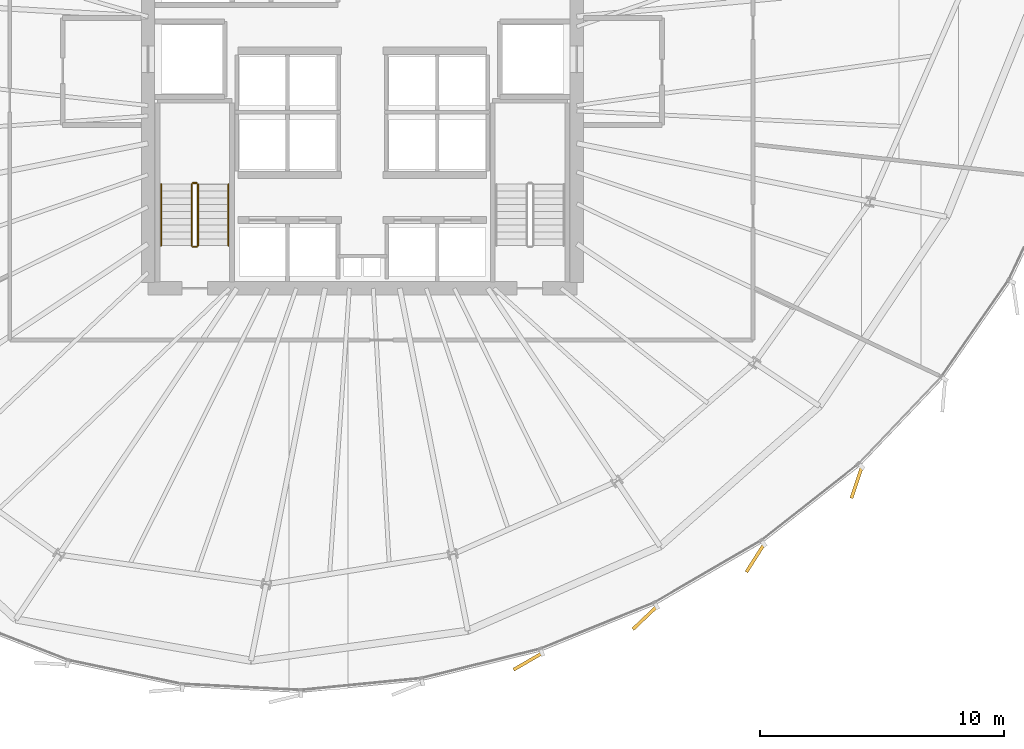
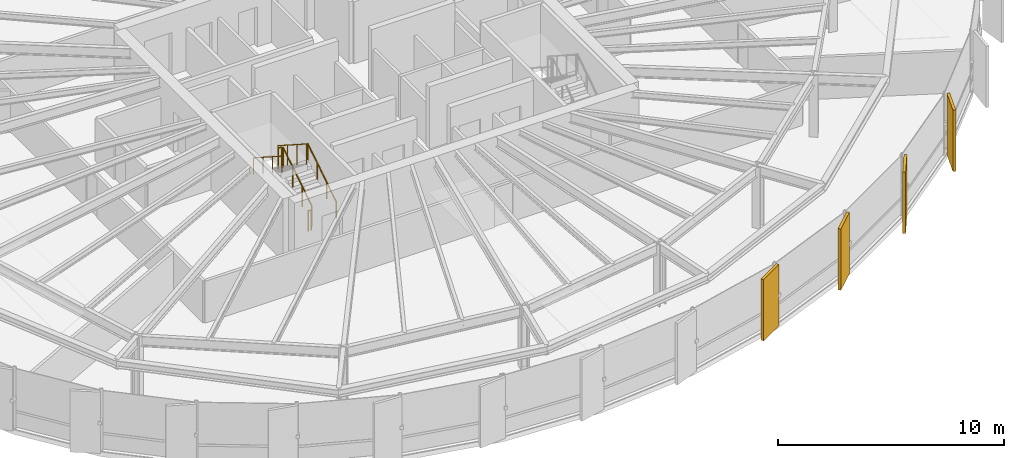
# One storey, part 33 of 35: 6 railings, 4 coverings.
"""IFC4 building model written with IfcOpenShell, lengths in metres."""

from ifc_helpers import new_model, si_unit, direction, frame, origin, origin_2d, place, context, subcontext, project, spatial, rectangle, circle, extrude, source, transform, mapped, material, layer, layer_set, type_object, element, save


model = new_model("IFC4")

# Units and contexts
model_context = context("Model", 3, precision=1e-05, world=origin(), true_north=direction((0.0, 1.0)))
body_context = subcontext(model_context, "Body", "Model", "MODEL_VIEW")
ifc_project = project(units=[si_unit("LENGTHUNIT", "METRE"), si_unit("AREAUNIT", "SQUARE_METRE"), si_unit("VOLUMEUNIT", "CUBIC_METRE"), si_unit("PLANEANGLEUNIT", "RADIAN"), si_unit("MASSUNIT", "GRAM", prefix="KILO"), si_unit("THERMODYNAMICTEMPERATUREUNIT", "KELVIN")], contexts=[model_context])

# Site, building, storey
site_placement = place(None, origin())
site = spatial("IfcSite", under=ifc_project, at=site_placement, CompositionType="ELEMENT")
building_placement = place(site_placement, origin())
building = spatial("IfcBuilding", under=site, at=building_placement, Name="Kethvar Cultural Tower", CompositionType="ELEMENT")
storey_placement = place(building_placement, frame((0.0, 0.0, 107.199951171875)))
storey = spatial("IfcBuildingStorey", under=building, at=storey_placement, Name="L26", CompositionType="ELEMENT", Elevation=107.199951171875)

# Railings
ifc_material_1 = material(Name="Steel S355J2", Category="steel")
railing_type_1 = type_object("IfcRailingType", Name="RL-STAIR-GUARD", PredefinedType="BALUSTRADE", material=ifc_material_1)
railing_1_placement = place(storey_placement, frame((40.050048828125, 21.85009765625, 0.179931640625)))
element("IfcRailing", 1, at=railing_1_placement, inside=storey, type_object=railing_type_1, Name="L26 ST-01 stair guard 1", PredefinedType="BALUSTRADE", context=body_context, shape_type="SweptSolid", body=[
    extrude(circle(Radius=0.02392578125, at=origin_2d()), frame((0.0, 0.0, 1.09619140625), z_axis=(0.0, 0.841162588446, 0.540782303519), x_axis=(-1.0, 0.0, 0.0)), (0.0, 0.0, 1.0), 2.995849609375),
    extrude(circle(Radius=0.02099609375, at=origin_2d()), origin(), (0.0, 0.0, 1.0), 1.072021484375),
    extrude(circle(Radius=0.02099609375, at=origin_2d()), frame((0.0, 0.840087890625, 0.5400390625)), (0.0, 0.0, 1.0), 1.072021484375),
    extrude(circle(Radius=0.02099609375, at=origin_2d()), frame((0.0, 1.679931640625, 1.080078125)), (0.0, 0.0, 1.0), 1.072021484375),
    extrude(circle(Radius=0.02099609375, at=origin_2d()), frame((0.0, 2.52001953125, 1.6201171875)), (0.0, 0.0, 1.0), 1.072021484375),
])
railing_2_placement = place(storey_placement, frame((40.0, 24.419921875, 1.800048828125)))
element("IfcRailing", 2, at=railing_2_placement, inside=storey, type_object=railing_type_1, Name="L26 ST-01 stair guard 2", PredefinedType="BALUSTRADE", context=body_context, shape_type="SweptSolid", body=[
    extrude(circle(Radius=0.02392578125, at=origin_2d()), frame((0.0, 0.0, 1.09619140625), z_axis=(-1.0, 0.0, 0.0), x_axis=(0.0, -1.0, 0.0)), (0.0, 0.0, 1.0), 0.159912109375),
    extrude(circle(Radius=0.02099609375, at=origin_2d()), origin(), (0.0, 0.0, 1.0), 1.072021484375),
    extrude(circle(Radius=0.02099609375, at=origin_2d()), frame((-0.159912109375, 0.0, 0.0)), (0.0, 0.0, 1.0), 1.072021484375),
])
railing_3_placement = place(storey_placement, frame((39.7900390625, 24.3701171875, 1.97998046875)))
element("IfcRailing", 3, at=railing_3_placement, inside=storey, type_object=railing_type_1, Name="L26 ST-01 stair guard 3", PredefinedType="BALUSTRADE", context=body_context, shape_type="SweptSolid", body=[
    extrude(circle(Radius=0.02392578125, at=origin_2d()), frame((0.0, 0.0, 1.09619140625), z_axis=(0.0, -0.841162588446, 0.540782303519), x_axis=(1.0, 0.0, 0.0)), (0.0, 0.0, 1.0), 2.995849609375),
    extrude(circle(Radius=0.02099609375, at=origin_2d()), origin(), (0.0, 0.0, 1.0), 1.072021484375),
    extrude(circle(Radius=0.02099609375, at=origin_2d()), frame((0.0, -0.840087890625, 0.5400390625)), (0.0, 0.0, 1.0), 1.072021484375),
    extrude(circle(Radius=0.02099609375, at=origin_2d()), frame((0.0, -1.679931640625, 1.080078125)), (0.0, 0.0, 1.0), 1.072021484375),
    extrude(circle(Radius=0.02099609375, at=origin_2d()), frame((0.0, -2.52001953125, 1.6201171875)), (0.0, 0.0, 1.0), 1.072021484375),
])
railing_4_placement = place(storey_placement, frame((40.0, 21.800048828125, 0.0)))
element("IfcRailing", 4, at=railing_4_placement, inside=storey, type_object=railing_type_1, Name="L26 ST-01 stair guard 4", PredefinedType="BALUSTRADE", context=body_context, shape_type="SweptSolid", body=[
    extrude(circle(Radius=0.02392578125, at=origin_2d()), frame((0.0, 0.0, 1.09619140625), z_axis=(-1.0, 0.0, 0.0), x_axis=(0.0, -1.0, 0.0)), (0.0, 0.0, 1.0), 0.159912109375),
    extrude(circle(Radius=0.02099609375, at=origin_2d()), origin(), (0.0, 0.0, 1.0), 1.072021484375),
    extrude(circle(Radius=0.02099609375, at=origin_2d()), frame((-0.159912109375, 0.0, 0.0)), (0.0, 0.0, 1.0), 1.072021484375),
])
railing_type_2 = type_object("IfcRailingType", Name="RL-STAIR-HANDRAIL", PredefinedType="HANDRAIL", material=ifc_material_1)
railing_5_placement = place(storey_placement, frame((41.300048828125, 21.85009765625, 0.179931640625)))
element("IfcRailing", 5, at=railing_5_placement, inside=storey, type_object=railing_type_2, Name="L26 ST-01 stair handrail 1", PredefinedType="HANDRAIL", context=body_context, shape_type="SweptSolid", body=[
    extrude(circle(Radius=0.02392578125, at=origin_2d()), frame((0.0, 0.0, 0.8759765625), z_axis=(0.0, 0.841162588446, 0.540782303519), x_axis=(-1.0, 0.0, 0.0)), (0.0, 0.0, 1.0), 2.995849609375),
    extrude(circle(Radius=0.02099609375, at=origin_2d()), origin(), (0.0, 0.0, 1.0), 0.851806640625),
    extrude(circle(Radius=0.02099609375, at=origin_2d()), frame((0.0, 0.840087890625, 0.5400390625)), (0.0, 0.0, 1.0), 0.851806640625),
    extrude(circle(Radius=0.02099609375, at=origin_2d()), frame((0.0, 1.679931640625, 1.080078125)), (0.0, 0.0, 1.0), 0.851806640625),
    extrude(circle(Radius=0.02099609375, at=origin_2d()), frame((0.0, 2.52001953125, 1.6201171875)), (0.0, 0.0, 1.0), 0.851806640625),
])
railing_6_placement = place(storey_placement, frame((38.5400390625, 24.3701171875, 1.97998046875)))
element("IfcRailing", 6, at=railing_6_placement, inside=storey, type_object=railing_type_2, Name="L26 ST-01 stair handrail 2", PredefinedType="HANDRAIL", context=body_context, shape_type="SweptSolid", body=[
    extrude(circle(Radius=0.02392578125, at=origin_2d()), frame((0.0, 0.0, 0.8759765625), z_axis=(0.0, -0.841162588446, 0.540782303519), x_axis=(1.0, 0.0, 0.0)), (0.0, 0.0, 1.0), 2.995849609375),
    extrude(circle(Radius=0.02099609375, at=origin_2d()), origin(), (0.0, 0.0, 1.0), 0.851806640625),
    extrude(circle(Radius=0.02099609375, at=origin_2d()), frame((0.0, -0.840087890625, 0.5400390625)), (0.0, 0.0, 1.0), 0.851806640625),
    extrude(circle(Radius=0.02099609375, at=origin_2d()), frame((0.0, -1.679931640625, 1.080078125)), (0.0, 0.0, 1.0), 0.851806640625),
    extrude(circle(Radius=0.02099609375, at=origin_2d()), frame((0.0, -2.52001953125, 1.6201171875)), (0.0, 0.0, 1.0), 0.851806640625),
])

# Coverings
ifc_material_2 = material(Name="Extruded Architectural Terracotta", Category="masonry")
ifc_layer = layer(ifc_material_2, 0.135009765625, Name="Extruded Architectural Terracotta", Category="masonry")
ifc_layer_set = layer_set([ifc_layer], Name="Extruded Architectural Terracotta (135 mm)")
covering_type = type_object("IfcCoveringType", Name="Terracotta Facade Fin FIN-02", PredefinedType="CLADDING", material=ifc_layer_set)
shared_shape = source(origin(), body_context, "Body", "SweptSolid", [
    extrude(rectangle(XDim=1.35009765625, YDim=0.135009765625, at=origin_2d()), origin(), (0.0, 0.0, 1.0), 3.31005859375),
])
for number, where, z_axis, x_axis, name in (
    (7, (53.590576171875, 4.78369140625, 0.02001953125), (0.0, 0.0, 1.0), (-0.865238937528, -0.501359732114, 0.0), "L26 Vertical Terracotta Fin 5.4"),
    (8, (58.39013671875, 6.568115234375, 0.02001953125), (0.0, 0.0, 1.0), (-0.725734693176, -0.68797467622, 0.0), "L26 Vertical Terracotta Fin 5.5"),
    (9, (62.923583984375, 9.02490234375, 0.02001953125), (0.0, 0.0, 1.0), (-0.536268810577, -0.844047251522, 0.0), "L26 Vertical Terracotta Fin 5.6"),
    (10, (67.087158203125, 12.12451171875, 0.02001953125), (0.0, 0.0, 1.0), (-0.316642524327, -0.948544944527, 0.0), "L26 Vertical Terracotta Fin 6.1"),
):
    element("IfcCovering", number, at=place(storey_placement, frame(where, z_axis=z_axis, x_axis=x_axis)), inside=storey, type_object=covering_type, Name=name, PredefinedType="CLADDING", context=body_context, shape_type="MappedRepresentation", body=[
        mapped(shared_shape, transform((0.0, 0.0, 0.0), scale=1.0)),
    ])

save(model, "model.ifc")
